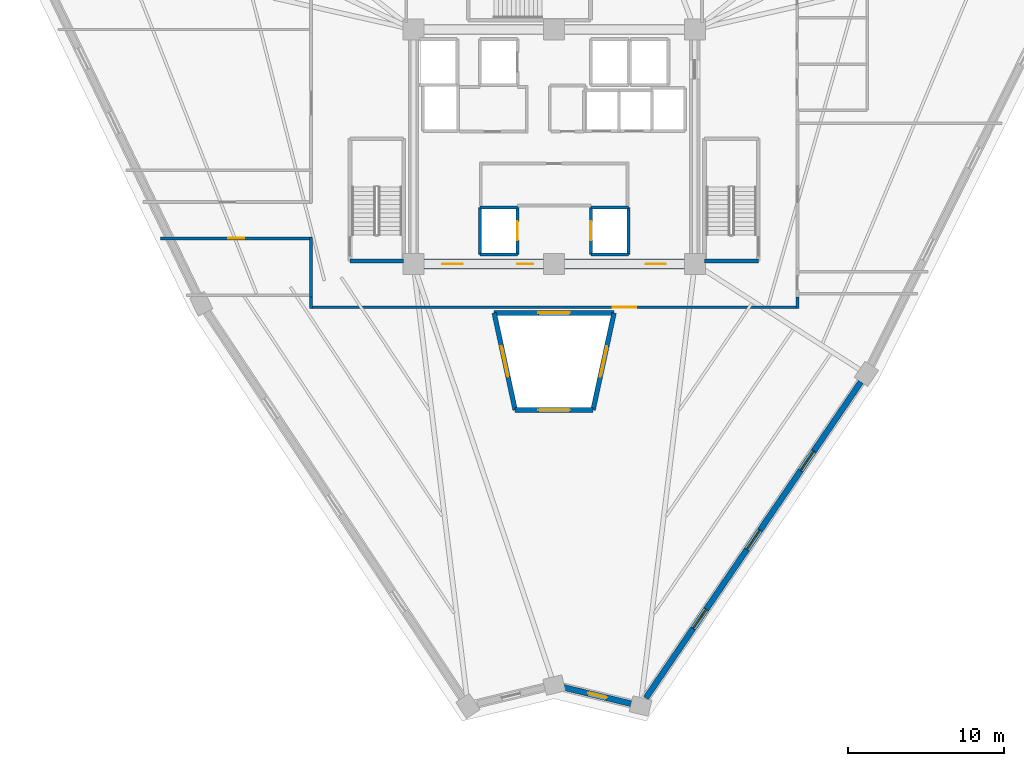
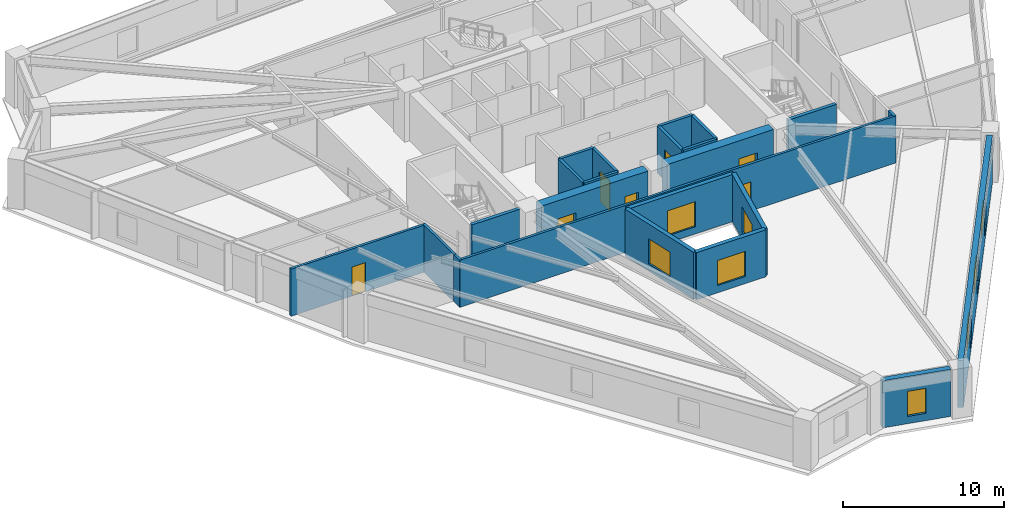
# One storey, part 3 of 8: 23 walls, 8 windows, 7 doors, 15 openings.
"""IFC4 building model written with IfcOpenShell, lengths in metres."""

import ifcopenshell
import ifcopenshell.guid

model = None  # the IFC model being written
_history = None  # IfcOwnerHistory: only IFC2X3 demands one
_inside = {}  # id of a spatial element -> (the spatial element, [elements in it])
_under = {}  # id of a project, library or spatial element -> (it, [spatial elements below it])
_declared = {}  # id of a project -> (the project, [libraries it declares])
_typed = {}  # id of a type object -> (the type object, [elements of that type])
_made_of = {}  # id of a material, layer set ... -> (it, [elements and type objects made of it])


def new_model(schema):
    """Start an empty IFC model of exactly this schema.

    Asked for "IFC4X3", IfcOpenShell would pick the latest addendum, in which some entities
    have other attributes; the version numbers below select the first issue.
    IFC2X3 requires an IfcOwnerHistory on every rooted entity: one is made here for all.
    """
    global model, _history
    if schema == "IFC4X3":
        model = ifcopenshell.file(schema_version=(4, 3, 0, 0))
    else:
        model = ifcopenshell.file(schema=schema)
    _inside.clear()
    _under.clear()
    _declared.clear()
    _typed.clear()
    _made_of.clear()
    _history = None
    if model.schema == "IFC2X3":
        org = make("IfcOrganization", Name="unknown")
        user = make(
            "IfcPersonAndOrganization",
            ThePerson=make("IfcPerson", FamilyName="unknown"),
            TheOrganization=org,
        )
        app = make(
            "IfcApplication",
            ApplicationDeveloper=org,
            Version="unknown",
            ApplicationFullName="unknown",
            ApplicationIdentifier="unknown",
        )
        _history = make(
            "IfcOwnerHistory",
            OwningUser=user,
            OwningApplication=app,
            ChangeAction="ADDED",
            CreationDate=0,
        )
    return model


def make(cls, **values):
    """One entity of the class cls with the attributes given. An attribute that is None is left unset."""
    return model.create_entity(
        cls, **{name: value for name, value in values.items() if value is not None}
    )


def rooted(cls, **values):
    """An entity with a GlobalId (a new one), such as an element, a storey or a relation."""
    return make(cls, GlobalId=ifcopenshell.guid.new(), OwnerHistory=_history, **values)


def si_unit(unit_type, name, prefix=None):
    """IfcSIUnit, for example si_unit("LENGTHUNIT", "METRE", prefix="MILLI")."""
    return make("IfcSIUnit", UnitType=unit_type, Prefix=prefix, Name=name)


def assignment(units):
    """IfcUnitAssignment: the units of a project."""
    return None if units is None else make("IfcUnitAssignment", Units=units)


def point(xyz):
    """IfcCartesianPoint."""
    return None if xyz is None else make("IfcCartesianPoint", Coordinates=xyz)


def direction(xyz):
    """IfcDirection."""
    return None if xyz is None else make("IfcDirection", DirectionRatios=xyz)


def frame(location, z_axis=None, x_axis=None):
    """IfcAxis2Placement3D, a coordinate frame: its origin and axes. An axis left out is left unset."""
    return make(
        "IfcAxis2Placement3D",
        Location=point(location),
        Axis=direction(z_axis),
        RefDirection=direction(x_axis),
    )


def frame_2d(location, x_axis=None):
    """IfcAxis2Placement2D, a coordinate frame in the plane: its origin and x axis."""
    return make(
        "IfcAxis2Placement2D", Location=point(location), RefDirection=direction(x_axis)
    )


def origin():
    """The frame at (0, 0, 0) with its axes left unset."""
    return frame((0.0, 0.0, 0.0))


def place(relative_to, where):
    """IfcLocalPlacement: puts the frame where relative to a parent placement (None: the world)."""
    return make(
        "IfcLocalPlacement", PlacementRelTo=relative_to, RelativePlacement=where
    )


def context(
    kind, dimensions, precision=None, world=None, true_north=None, identifier=None
):
    """IfcGeometricRepresentationContext, for example the 3D "Model" context."""
    return make(
        "IfcGeometricRepresentationContext",
        ContextIdentifier=identifier,
        ContextType=kind,
        CoordinateSpaceDimension=dimensions,
        Precision=precision,
        WorldCoordinateSystem=world,
        TrueNorth=true_north,
    )


def subcontext(parent, identifier, kind, view, scale=None):
    """IfcGeometricRepresentationSubContext, for example "Body" below "Model"."""
    return make(
        "IfcGeometricRepresentationSubContext",
        ContextIdentifier=identifier,
        ContextType=kind,
        ParentContext=parent,
        TargetScale=scale,
        TargetView=view,
    )


def project(units=None, contexts=None):
    """IfcProject with its units and contexts."""
    return rooted(
        "IfcProject",
        Name="project",
        RepresentationContexts=contexts,
        UnitsInContext=assignment(units),
    )


def spatial(cls, under=None, at=None, **own):
    """A site, building, storey or space (cls), placed at a placement, below another one or the project."""
    s = rooted(cls, ObjectPlacement=at, **own)
    if under is not None:
        _under.setdefault(under.id(), (under, []))[1].append(s)
    return s


def profile(cls, at=None, kind="AREA", **sizes):
    """A parametric profile (cls). Its sizes go by their IFC names, for example OverallWidth=200.0."""
    return make(cls, ProfileType=kind, Position=at, **sizes)


def rectangle(**sizes):
    """IfcRectangleProfileDef."""
    return profile("IfcRectangleProfileDef", **sizes)


def extrude(swept, where, along, depth):
    """IfcExtrudedAreaSolid: the profile swept, set in the frame where, extruded along a direction by depth."""
    return make(
        "IfcExtrudedAreaSolid",
        SweptArea=swept,
        Position=where,
        ExtrudedDirection=direction(along),
        Depth=depth,
    )


def shape(context_of_items, identifier, shape_type, items):
    """IfcShapeRepresentation: the items that make up one representation, for example the "Body"."""
    return make(
        "IfcShapeRepresentation",
        ContextOfItems=context_of_items,
        RepresentationIdentifier=identifier,
        RepresentationType=shape_type,
        Items=items,
    )


def source(mapping_origin, context_of_items, identifier, shape_type, items):
    """IfcRepresentationMap: a shape defined once, which mapped items show again and again."""
    return make(
        "IfcRepresentationMap",
        MappingOrigin=mapping_origin,
        MappedRepresentation=shape(context_of_items, identifier, shape_type, items),
    )


def transform(
    local_origin,
    x_axis=None,
    y_axis=None,
    z_axis=None,
    scale=None,
    scale2=None,
    scale3=None,
    uniform=True,
):
    """IfcCartesianTransformationOperator3D, or its non-uniform kind. x_axis, y_axis, z_axis: its Axis1, 2, 3."""
    if uniform:
        return make(
            "IfcCartesianTransformationOperator3D",
            Axis1=direction(x_axis),
            Axis2=direction(y_axis),
            LocalOrigin=point(local_origin),
            Scale=scale,
            Axis3=direction(z_axis),
        )
    return make(
        "IfcCartesianTransformationOperator3DnonUniform",
        Axis1=direction(x_axis),
        Axis2=direction(y_axis),
        LocalOrigin=point(local_origin),
        Scale=scale,
        Axis3=direction(z_axis),
        Scale2=scale2,
        Scale3=scale3,
    )


def mapped(mapping_source, mapping_target):
    """IfcMappedItem: shows the shape of a source again, moved by a transform."""
    return make(
        "IfcMappedItem", MappingSource=mapping_source, MappingTarget=mapping_target
    )


def material(Name=None, Category=None):
    """IfcMaterial."""
    return make("IfcMaterial", Name=Name, Category=Category)


def layer(
    of_material, thickness, ventilated=None, Name=None, Category=None, Priority=None
):
    """IfcMaterialLayer: one layer of a wall or slab, of a material (None: an air gap)."""
    return make(
        "IfcMaterialLayer",
        Material=of_material,
        LayerThickness=thickness,
        IsVentilated=ventilated,
        Name=Name,
        Category=Category,
        Priority=Priority,
    )


def layer_set(layers, Name=None):
    """IfcMaterialLayerSet."""
    return make("IfcMaterialLayerSet", MaterialLayers=layers, LayerSetName=Name)


def made_of(thing, what):
    """Note that an element or type object is made of a material, layer set ...; save() writes the relation."""
    if what is not None:
        _made_of.setdefault(what.id(), (what, []))[1].append(thing)
    return thing


def type_object(cls, material=None, **own):
    """A type object (cls), such as IfcWallType, which elements share."""
    return made_of(rooted(cls, **own), material)


def element(
    cls,
    number,
    at=None,
    inside=None,
    cuts=None,
    type_object=None,
    material=None,
    context=None,
    identifier="Body",
    shape_type=None,
    held_by="IfcProductDefinitionShape",
    body=None,
    shapes=None,
    **own,
):
    """One element of the class cls, such as IfcWall. Its Tag is "e" and its number.

    at: its placement. inside: the storey or other place that contains it. cuts: it is an
    opening in that element (IfcRelVoidsElement). A single representation is given by context,
    identifier, shape_type and body (its items); several are given by shapes. held_by: the class
    of the entity that holds the representations. save() writes the other relations.
    """
    e = rooted(cls, Tag="e%d" % number, ObjectPlacement=at, **own)
    if body is not None:
        shapes = [shape(context, identifier, shape_type, body)]
    if shapes is not None:
        e.Representation = make(held_by, Representations=shapes)
    if inside is not None:
        _inside.setdefault(inside.id(), (inside, []))[1].append(e)
    if cuts is not None:
        rooted(
            "IfcRelVoidsElement", RelatingBuildingElement=cuts, RelatedOpeningElement=e
        )
    if type_object is not None:
        _typed.setdefault(type_object.id(), (type_object, []))[1].append(e)
    return made_of(e, material)


def fill(opening, filler):
    """IfcRelFillsElement: the door or window that sits in an opening."""
    return rooted(
        "IfcRelFillsElement",
        RelatingOpeningElement=opening,
        RelatedBuildingElement=filler,
    )


def aggregate(whole, parts):
    """IfcRelAggregates: a whole, such as a stair, and the parts it consists of."""
    return rooted("IfcRelAggregates", RelatingObject=whole, RelatedObjects=parts)


def save(model, path):
    """Write the relations noted so far, then the file.

    IfcRelAggregates (storeys below a building ...), IfcRelContainedInSpatialStructure (elements
    in a storey), IfcRelDefinesByType, IfcRelAssociatesMaterial and IfcRelDeclares: one each for
    every whole, place, type object, material and project.
    """
    for whole, parts in _under.values():
        aggregate(whole, parts)
    for where, things in _inside.values():
        rooted(
            "IfcRelContainedInSpatialStructure",
            RelatedElements=things,
            RelatingStructure=where,
        )
    for kind, things in _typed.values():
        rooted("IfcRelDefinesByType", RelatedObjects=things, RelatingType=kind)
    for what, things in _made_of.values():
        rooted("IfcRelAssociatesMaterial", RelatedObjects=things, RelatingMaterial=what)
    for by, libraries in _declared.values():
        rooted("IfcRelDeclares", RelatingContext=by, RelatedDefinitions=libraries)
    model.write(path)


model = new_model("IFC4")

# Units and contexts
model_context = context("Model", 3, precision=1e-05, world=origin(), true_north=direction((0.0, 1.0)))
body_context = subcontext(model_context, "Body", "Model", "MODEL_VIEW")
ifc_project = project(units=[si_unit("LENGTHUNIT", "METRE"), si_unit("AREAUNIT", "SQUARE_METRE"), si_unit("VOLUMEUNIT", "CUBIC_METRE"), si_unit("PLANEANGLEUNIT", "RADIAN"), si_unit("MASSUNIT", "GRAM", prefix="KILO")], contexts=[model_context])

# Site, building, storey
site_placement = place(None, origin())
site = spatial("IfcSite", under=ifc_project, at=site_placement, CompositionType="ELEMENT")
building_placement = place(site_placement, origin())
building = spatial("IfcBuilding", under=site, at=building_placement, Name="Liaohun Quay Tower", CompositionType="ELEMENT")
storey_placement = place(building_placement, frame((0.0, 0.0, 201.75)))
storey = spatial("IfcBuildingStorey", under=building, at=storey_placement, Name="L52", CompositionType="ELEMENT", Elevation=201.75)

# Wall, opening, window
ifc_material_1 = material(Name="Concrete C50", Category="concrete")
ifc_layer_1 = layer(ifc_material_1, 0.300048828125, Name="Concrete C50", Category="concrete")
ifc_layer_set_1 = layer_set([ifc_layer_1], Name="Concrete C50")
wall_type_1 = type_object("IfcWallType", Name="WAL-ATR-300", PredefinedType="SOLIDWALL", material=ifc_layer_set_1)
wall_1_placement = place(storey_placement, frame((57.507080078125, 37.162109375, 0.0), z_axis=(0.0, 0.0, 1.0), x_axis=(-0.211444938644, 0.977389910896, 0.0)))
wall_1 = element("IfcWall", 1, at=wall_1_placement, inside=storey, type_object=wall_type_1, Name="L52 Atrium Fire Compartment Wall 1", PredefinedType="SOLIDWALL", context=body_context, shape_type="SweptSolid", body=[
    extrude(rectangle(XDim=6.3515625, YDim=0.300048828125, at=frame_2d((3.17578125, 0.0))), origin(), (0.0, 0.0, 1.0), 3.570068359375),
])
shared_shape_1 = source(origin(), body_context, "Body", "SweptSolid", [
    extrude(rectangle(XDim=2.0, YDim=1.89990234375, at=frame_2d((1.0, 0.949951171875))), frame((0.0, 0.159912109375, 0.0), z_axis=(0.0, -1.0, 0.0), x_axis=(1.0, 0.0, 0.0)), (0.0, 0.0, 1.0), 0.320068359375),
])
opening_1_placement = place(wall_1_placement, frame((2.176025390625, 0.0, 0.550048828125)))
opening_1 = element("IfcOpeningElement", 2, at=opening_1_placement, cuts=wall_1, Name="Opening W07", PredefinedType="OPENING", context=body_context, shape_type="MappedRepresentation", body=[
    mapped(shared_shape_1, transform((0.0, 0.0, 0.0), x_axis=(1.0, 0.0, 0.0), y_axis=(0.0, 1.0, 0.0), z_axis=(0.0, 0.0, 1.0), scale=1.0)),
])
ifc_material_2 = material(Name="Class A 180-min fire-resistant insulated glazing", Category="glass")
window_type_1 = type_object("IfcWindowType", Name="WIN-ATR-FIR", PartitioningType="DOUBLE_PANEL_VERTICAL", PredefinedType="WINDOW", material=ifc_material_2)
shared_shape_2 = source(origin(), body_context, "Body", "SweptSolid", [
    extrude(rectangle(XDim=2.0, YDim=1.89990234375, at=frame_2d((1.0, 0.949951171875))), frame((0.0, 0.030029296875, 0.0), z_axis=(0.0, -1.0, 0.0), x_axis=(1.0, 0.0, 0.0)), (0.0, 0.0, 1.0), 0.06005859375),
])
window_1_placement = place(opening_1_placement, origin())
window_1 = element("IfcWindow", 3, at=window_1_placement, inside=storey, type_object=window_type_1, Name="L52 Atrium Fire-Resistant Glazing W07-1", OverallHeight=1.89990234375, OverallWidth=2.0, PartitioningType="DOUBLE_PANEL_VERTICAL", PredefinedType="WINDOW", context=body_context, shape_type="MappedRepresentation", body=[
    mapped(shared_shape_2, transform((0.0, 0.0, 0.0), x_axis=(1.0, 0.0, 0.0), y_axis=(0.0, 1.0, 0.0), z_axis=(0.0, 0.0, 1.0), scale=1.0)),
])
fill(opening_1, window_1)

wall_2_placement = place(storey_placement, frame((56.1640625, 43.3701171875, 0.0), z_axis=(0.0, 0.0, 1.0), x_axis=(1.0, 0.0, 0.0)))
wall_2 = element("IfcWall", 4, at=wall_2_placement, inside=storey, type_object=wall_type_1, Name="L52 Atrium Fire Compartment Wall 2", PredefinedType="SOLIDWALL", context=body_context, shape_type="SweptSolid", body=[
    extrude(rectangle(XDim=7.671875, YDim=0.300048828125, at=frame_2d((3.8359375, 0.0))), origin(), (0.0, 0.0, 1.0), 3.570068359375),
])
opening_2_placement = place(wall_2_placement, frame((2.8359375, 0.0, 0.550048828125)))
opening_2 = element("IfcOpeningElement", 5, at=opening_2_placement, cuts=wall_2, Name="Opening W07", PredefinedType="OPENING", context=body_context, shape_type="MappedRepresentation", body=[
    mapped(shared_shape_1, transform((0.0, 0.0, 0.0), x_axis=(1.0, 0.0, 0.0), y_axis=(0.0, 1.0, 0.0), z_axis=(0.0, 0.0, 1.0), scale=1.0)),
])
window_2_placement = place(opening_2_placement, origin())
window_2 = element("IfcWindow", 6, at=window_2_placement, inside=storey, type_object=window_type_1, Name="L52 Atrium Fire-Resistant Glazing W07-2", OverallHeight=1.89990234375, OverallWidth=2.0, PartitioningType="DOUBLE_PANEL_VERTICAL", PredefinedType="WINDOW", context=body_context, shape_type="MappedRepresentation", body=[
    mapped(shared_shape_2, transform((0.0, 0.0, 0.0), x_axis=(1.0, 0.0, 0.0), y_axis=(0.0, 1.0, 0.0), z_axis=(0.0, 0.0, 1.0), scale=1.0)),
])
fill(opening_2, window_2)

wall_3_placement = place(storey_placement, frame((63.8359375, 43.3701171875, 0.0), z_axis=(0.0, 0.0, 1.0), x_axis=(-0.211444938644, -0.977389910896, 0.0)))
wall_3 = element("IfcWall", 7, at=wall_3_placement, inside=storey, type_object=wall_type_1, Name="L52 Atrium Fire Compartment Wall 3", PredefinedType="SOLIDWALL", context=body_context, shape_type="SweptSolid", body=[
    extrude(rectangle(XDim=6.3515625, YDim=0.300048828125, at=frame_2d((3.17578125, 0.0))), origin(), (0.0, 0.0, 1.0), 3.570068359375),
])
opening_3_placement = place(wall_3_placement, frame((2.176025390625, 0.0, 0.550048828125)))
opening_3 = element("IfcOpeningElement", 8, at=opening_3_placement, cuts=wall_3, Name="Opening W07", PredefinedType="OPENING", context=body_context, shape_type="MappedRepresentation", body=[
    mapped(shared_shape_1, transform((0.0, 0.0, 0.0), x_axis=(1.0, 0.0, 0.0), y_axis=(0.0, 1.0, 0.0), z_axis=(0.0, 0.0, 1.0), scale=1.0)),
])
window_3_placement = place(opening_3_placement, origin())
window_3 = element("IfcWindow", 9, at=window_3_placement, inside=storey, type_object=window_type_1, Name="L52 Atrium Fire-Resistant Glazing W07-3", OverallHeight=1.89990234375, OverallWidth=2.0, PartitioningType="DOUBLE_PANEL_VERTICAL", PredefinedType="WINDOW", context=body_context, shape_type="MappedRepresentation", body=[
    mapped(shared_shape_2, transform((0.0, 0.0, 0.0), x_axis=(1.0, 0.0, 0.0), y_axis=(0.0, 1.0, 0.0), z_axis=(0.0, 0.0, 1.0), scale=1.0)),
])
fill(opening_3, window_3)

wall_4_placement = place(storey_placement, frame((62.492919921875, 37.162109375, 0.0), z_axis=(0.0, 0.0, 1.0), x_axis=(-1.0, 0.0, 0.0)))
wall_4 = element("IfcWall", 10, at=wall_4_placement, inside=storey, type_object=wall_type_1, Name="L52 Atrium Fire Compartment Wall 4", PredefinedType="SOLIDWALL", context=body_context, shape_type="SweptSolid", body=[
    extrude(rectangle(XDim=4.98583984375, YDim=0.300048828125, at=frame_2d((2.492919921875, 0.0))), origin(), (0.0, 0.0, 1.0), 3.570068359375),
])
opening_4_placement = place(wall_4_placement, frame((1.492919921875, 0.0, 0.550048828125)))
opening_4 = element("IfcOpeningElement", 11, at=opening_4_placement, cuts=wall_4, Name="Opening W07", PredefinedType="OPENING", context=body_context, shape_type="MappedRepresentation", body=[
    mapped(shared_shape_1, transform((0.0, 0.0, 0.0), x_axis=(1.0, 0.0, 0.0), y_axis=(0.0, 1.0, 0.0), z_axis=(0.0, 0.0, 1.0), scale=1.0)),
])
window_4_placement = place(opening_4_placement, origin())
window_4 = element("IfcWindow", 12, at=window_4_placement, inside=storey, type_object=window_type_1, Name="L52 Atrium Fire-Resistant Glazing W07-4", OverallHeight=1.89990234375, OverallWidth=2.0, PartitioningType="DOUBLE_PANEL_VERTICAL", PredefinedType="WINDOW", context=body_context, shape_type="MappedRepresentation", body=[
    mapped(shared_shape_2, transform((0.0, 0.0, 0.0), x_axis=(1.0, 0.0, 0.0), y_axis=(0.0, 1.0, 0.0), z_axis=(0.0, 0.0, 1.0), scale=1.0)),
])
fill(opening_4, window_4)

# Wall, opening, door
ifc_material_3 = material(Name="Concrete C55", Category="concrete")
ifc_layer_2 = layer(ifc_material_3, 0.64990234375, Name="Concrete C55", Category="concrete")
ifc_layer_set_2 = layer_set([ifc_layer_2], Name="Concrete C55")
wall_type_2 = type_object("IfcWallType", Name="WAL-COR-Z3", PredefinedType="SHEAR", material=ifc_layer_set_2)
wall_5_placement = place(storey_placement, frame((68.324951171875, 46.5, 0.0), z_axis=(0.0, 0.0, 1.0), x_axis=(-1.0, 0.0, 0.0)))
wall_5 = element("IfcWall", 13, at=wall_5_placement, inside=storey, type_object=wall_type_2, Name="L52 Central Core Shear Wall S-E", PredefinedType="SHEAR", context=body_context, shape_type="SweptSolid", body=[
    extrude(rectangle(XDim=7.64990234375, YDim=0.64990234375, at=frame_2d((3.824951171875, 0.0))), origin(), (0.0, 0.0, 1.0), 3.570068359375),
])
shared_shape_3 = source(origin(), body_context, "Body", "SweptSolid", [
    extrude(rectangle(XDim=1.300048828125, YDim=2.199951171875, at=frame_2d((0.64990234375, 1.10009765625))), frame((0.0, 0.3349609375, 0.0), z_axis=(0.0, -1.0, 0.0), x_axis=(1.0, 0.0, 0.0)), (0.0, 0.0, 1.0), 0.669921875),
])
opening_5_placement = place(wall_5_placement, frame((1.175048828125, 0.0, 0.0)))
opening_5 = element("IfcOpeningElement", 14, at=opening_5_placement, cuts=wall_5, Name="Opening FD1", PredefinedType="OPENING", context=body_context, shape_type="MappedRepresentation", body=[
    mapped(shared_shape_3, transform((0.0, 0.0, 0.0), x_axis=(1.0, 0.0, 0.0), y_axis=(0.0, 1.0, 0.0), z_axis=(0.0, 0.0, 1.0), scale=1.0)),
])
ifc_material_4 = material(Name="Galvanised steel smokeproof fire door", Category="steel")
door_type_1 = type_object("IfcDoorType", Name="DOR-FFL-1300", OperationType="NOTDEFINED", PredefinedType="DOOR", material=ifc_material_4)
shared_shape_4 = source(origin(), body_context, "Body", "SweptSolid", [
    extrude(rectangle(XDim=1.300048828125, YDim=2.199951171875, at=frame_2d((0.64990234375, 1.10009765625))), frame((0.0, 0.02490234375, 0.0), z_axis=(0.0, -1.0, 0.0), x_axis=(1.0, 0.0, 0.0)), (0.0, 0.0, 1.0), 0.050048828125),
])
door_1_placement = place(opening_5_placement, origin())
door_1 = element("IfcDoor", 15, at=door_1_placement, inside=storey, type_object=door_type_1, Name="L52 East Core Lift Lobby Smokeproof Door", OperationType="SINGLE_SWING_LEFT", OverallHeight=2.199951171875, OverallWidth=1.300048828125, PredefinedType="DOOR", context=body_context, shape_type="MappedRepresentation", body=[
    mapped(shared_shape_4, transform((0.0, 0.0, 0.0), x_axis=(1.0, 0.0, 0.0), y_axis=(0.0, 1.0, 0.0), z_axis=(0.0, 0.0, 1.0), scale=1.0)),
])
fill(opening_5, door_1)

# Wall, openings, doors
wall_6_placement = place(storey_placement, frame((59.324951171875, 46.5, 0.0), z_axis=(0.0, 0.0, 1.0), x_axis=(-1.0, 0.0, 0.0)))
wall_6 = element("IfcWall", 16, at=wall_6_placement, inside=storey, type_object=wall_type_2, Name="L52 Central Core Shear Wall S-W", PredefinedType="SHEAR", context=body_context, shape_type="SweptSolid", body=[
    extrude(rectangle(XDim=7.64990234375, YDim=0.64990234375, at=frame_2d((3.824951171875, 0.0))), origin(), (0.0, 0.0, 1.0), 3.570068359375),
])
opening_6_placement = place(wall_6_placement, frame((5.175048828125, 0.0, 0.0)))
opening_6 = element("IfcOpeningElement", 17, at=opening_6_placement, cuts=wall_6, Name="Opening FD1", PredefinedType="OPENING", context=body_context, shape_type="MappedRepresentation", body=[
    mapped(shared_shape_3, transform((0.0, 0.0, 0.0), x_axis=(1.0, 0.0, 0.0), y_axis=(0.0, 1.0, 0.0), z_axis=(0.0, 0.0, 1.0), scale=1.0)),
])
shared_shape_5 = source(origin(), body_context, "Body", "SweptSolid", [
    extrude(rectangle(XDim=1.0, YDim=2.199951171875, at=frame_2d((0.5, 1.10009765625))), frame((0.0, 0.3349609375, 0.0), z_axis=(0.0, -1.0, 0.0), x_axis=(1.0, 0.0, 0.0)), (0.0, 0.0, 1.0), 0.669921875),
])
opening_7_placement = place(wall_6_placement, frame((0.675048828125, 0.0, 0.0)))
opening_7 = element("IfcOpeningElement", 18, at=opening_7_placement, cuts=wall_6, Name="Opening FD2", PredefinedType="OPENING", context=body_context, shape_type="MappedRepresentation", body=[
    mapped(shared_shape_5, transform((0.0, 0.0, 0.0), x_axis=(1.0, 0.0, 0.0), y_axis=(0.0, 1.0, 0.0), z_axis=(0.0, 0.0, 1.0), scale=1.0)),
])
door_2_placement = place(opening_6_placement, origin())
door_2 = element("IfcDoor", 19, at=door_2_placement, inside=storey, type_object=door_type_1, Name="L52 West Core Lift Lobby Smokeproof Door", OperationType="SINGLE_SWING_RIGHT", OverallHeight=2.199951171875, OverallWidth=1.300048828125, PredefinedType="DOOR", context=body_context, shape_type="MappedRepresentation", body=[
    mapped(shared_shape_4, transform((0.0, 0.0, 0.0), x_axis=(1.0, 0.0, 0.0), y_axis=(0.0, 1.0, 0.0), z_axis=(0.0, 0.0, 1.0), scale=1.0)),
])
fill(opening_6, door_2)
ifc_material_5 = material(Name="Galvanised steel smokeproof lobby fire door", Category="steel")
door_type_2 = type_object("IfcDoorType", Name="DOR-FFL-1000", OperationType="NOTDEFINED", PredefinedType="DOOR", material=ifc_material_5)
shared_shape_6 = source(origin(), body_context, "Body", "SweptSolid", [
    extrude(rectangle(XDim=1.0, YDim=2.199951171875, at=frame_2d((0.5, 1.10009765625))), frame((0.0, 0.02490234375, 0.0), z_axis=(0.0, -1.0, 0.0), x_axis=(1.0, 0.0, 0.0)), (0.0, 0.0, 1.0), 0.050048828125),
])
door_3_placement = place(opening_7_placement, origin())
door_3 = element("IfcDoor", 20, at=door_3_placement, inside=storey, type_object=door_type_2, Name="L52 South Firefighting Lobby Smokeproof Door", OperationType="SINGLE_SWING_LEFT", OverallHeight=2.199951171875, OverallWidth=1.0, PredefinedType="DOOR", context=body_context, shape_type="MappedRepresentation", body=[
    mapped(shared_shape_6, transform((0.0, 0.0, 0.0), x_axis=(1.0, 0.0, 0.0), y_axis=(0.0, 1.0, 0.0), z_axis=(0.0, 0.0, 1.0), scale=1.0)),
])
fill(opening_7, door_3)

# Wall, opening, window
ifc_material_6 = material(Name="Precast concrete C50 insulated sandwich", Category="concrete")
ifc_layer_3 = layer(ifc_material_6, 0.3798828125, Name="Precast concrete C50 insulated sandwich", Category="concrete")
ifc_layer_set_3 = layer_set([ifc_layer_3], Name="Precast concrete C50 insulated sandwich")
wall_type_3 = type_object("IfcWallType", Name="WAL-EXT-Z34", PredefinedType="SOLIDWALL", material=ifc_layer_set_3)
wall_7_placement = place(storey_placement, frame((60.597900390625, 19.41796875, 0.0), z_axis=(0.0, 0.0, 1.0), x_axis=(0.97200969757, -0.234940732588, 0.0)))
wall_7 = element("IfcWall", 21, at=wall_7_placement, inside=storey, type_object=wall_type_3, Name="L52 Brutalist Precast Pier Wall 01", PredefinedType="SOLIDWALL", context=body_context, shape_type="SweptSolid", body=[
    extrude(rectangle(XDim=4.45166015625, YDim=0.3798828125, at=frame_2d((2.225830078125, 0.0))), origin(), (0.0, 0.0, 1.0), 3.570068359375),
])
shared_shape_7 = source(origin(), body_context, "Body", "SweptSolid", [
    extrude(rectangle(XDim=1.199951171875, YDim=1.89990234375, at=frame_2d((0.60009765625, 0.949951171875))), frame((0.0, 0.199951171875, 0.0), z_axis=(0.0, -1.0, 0.0), x_axis=(1.0, 0.0, 0.0)), (0.0, 0.0, 1.0), 0.39990234375),
])
opening_8_placement = place(wall_7_placement, frame((1.6259765625, 0.0, 0.550048828125)))
opening_8 = element("IfcOpeningElement", 22, at=opening_8_placement, cuts=wall_7, Name="Opening W05", PredefinedType="OPENING", context=body_context, shape_type="MappedRepresentation", body=[
    mapped(shared_shape_7, transform((0.0, 0.0, 0.0), x_axis=(1.0, 0.0, 0.0), y_axis=(0.0, 1.0, 0.0), z_axis=(0.0, 0.0, 1.0), scale=1.0)),
])
ifc_material_7 = material(Name="Triple Low-E corner notch glazing", Category="glass")
window_type_2 = type_object("IfcWindowType", Name="WIN-NOTCH", PartitioningType="SINGLE_PANEL", PredefinedType="WINDOW", material=ifc_material_7)
shared_shape_8 = source(origin(), body_context, "Body", "SweptSolid", [
    extrude(rectangle(XDim=1.199951171875, YDim=1.89990234375, at=frame_2d((0.60009765625, 0.949951171875))), frame((0.0, 0.030029296875, 0.0), z_axis=(0.0, -1.0, 0.0), x_axis=(1.0, 0.0, 0.0)), (0.0, 0.0, 1.0), 0.06005859375),
])
window_5_placement = place(opening_8_placement, origin())
window_5 = element("IfcWindow", 23, at=window_5_placement, inside=storey, type_object=window_type_2, Name="L52 Corner Notch Window W05-01", OverallHeight=1.89990234375, OverallWidth=1.199951171875, PartitioningType="SINGLE_PANEL", PredefinedType="WINDOW", context=body_context, shape_type="MappedRepresentation", body=[
    mapped(shared_shape_8, transform((0.0, 0.0, 0.0), x_axis=(1.0, 0.0, 0.0), y_axis=(0.0, 1.0, 0.0), z_axis=(0.0, 0.0, 1.0), scale=1.0)),
])
fill(opening_8, window_5)

# Wall, openings, windows
wall_8_placement = place(storey_placement, frame((65.868896484375, 18.736083984375, 0.0), z_axis=(0.0, 0.0, 1.0), x_axis=(0.562429840658, 0.826845012283, 0.0)))
wall_8 = element("IfcWall", 24, at=wall_8_placement, inside=storey, type_object=wall_type_3, Name="L52 Brutalist Precast Pier Wall 02", PredefinedType="SOLIDWALL", context=body_context, shape_type="SweptSolid", body=[
    extrude(rectangle(XDim=24.46533203125, YDim=0.3798828125, at=frame_2d((12.232666015625, 0.0))), origin(), (0.0, 0.0, 1.0), 3.570068359375),
])
shared_shape_9 = source(origin(), body_context, "Body", "SweptSolid", [
    extrude(rectangle(XDim=1.5, YDim=1.89990234375, at=frame_2d((0.75, 0.949951171875))), frame((0.0, 0.199951171875, 0.0), z_axis=(0.0, -1.0, 0.0), x_axis=(1.0, 0.0, 0.0)), (0.0, 0.0, 1.0), 0.39990234375),
])
opening_9_placement = place(wall_8_placement, frame((5.365966796875, 0.0, 0.550048828125)))
opening_9 = element("IfcOpeningElement", 25, at=opening_9_placement, cuts=wall_8, Name="Opening W03", PredefinedType="OPENING", context=body_context, shape_type="MappedRepresentation", body=[
    mapped(shared_shape_9, transform((0.0, 0.0, 0.0), x_axis=(1.0, 0.0, 0.0), y_axis=(0.0, 1.0, 0.0), z_axis=(0.0, 0.0, 1.0), scale=1.0)),
])
opening_10_placement = place(wall_8_placement, frame((11.48291015625, 0.0, 0.550048828125)))
opening_10 = element("IfcOpeningElement", 26, at=opening_10_placement, cuts=wall_8, Name="Opening W03", PredefinedType="OPENING", context=body_context, shape_type="MappedRepresentation", body=[
    mapped(shared_shape_9, transform((0.0, 0.0, 0.0), x_axis=(1.0, 0.0, 0.0), y_axis=(0.0, 1.0, 0.0), z_axis=(0.0, 0.0, 1.0), scale=1.0)),
])
opening_11_placement = place(wall_8_placement, frame((17.59912109375, 0.0, 0.550048828125)))
opening_11 = element("IfcOpeningElement", 27, at=opening_11_placement, cuts=wall_8, Name="Opening W03", PredefinedType="OPENING", context=body_context, shape_type="MappedRepresentation", body=[
    mapped(shared_shape_9, transform((0.0, 0.0, 0.0), x_axis=(1.0, 0.0, 0.0), y_axis=(0.0, 1.0, 0.0), z_axis=(0.0, 0.0, 1.0), scale=1.0)),
])
ifc_material_8 = material(Name="Triple Low-E argon glazing in thermally broken aluminium", Category="aluminium")
window_type_3 = type_object("IfcWindowType", Name="WIN-PUN-Z3", PartitioningType="DOUBLE_PANEL_VERTICAL", PredefinedType="WINDOW", material=ifc_material_8)
shared_shape_10 = source(origin(), body_context, "Body", "SweptSolid", [
    extrude(rectangle(XDim=1.5, YDim=1.89990234375, at=frame_2d((0.75, 0.949951171875))), frame((0.0, 0.030029296875, 0.0), z_axis=(0.0, -1.0, 0.0), x_axis=(1.0, 0.0, 0.0)), (0.0, 0.0, 1.0), 0.06005859375),
])
window_6_placement = place(opening_9_placement, origin())
window_6 = element("IfcWindow", 28, at=window_6_placement, inside=storey, type_object=window_type_3, Name="L52 Recessed Cold-Climate Punched Window 02-1", OverallHeight=1.89990234375, OverallWidth=1.5, PartitioningType="DOUBLE_PANEL_VERTICAL", PredefinedType="WINDOW", context=body_context, shape_type="MappedRepresentation", body=[
    mapped(shared_shape_10, transform((0.0, 0.0, 0.0), x_axis=(1.0, 0.0, 0.0), y_axis=(0.0, 1.0, 0.0), z_axis=(0.0, 0.0, 1.0), scale=1.0)),
])
fill(opening_9, window_6)
window_7_placement = place(opening_10_placement, origin())
window_7 = element("IfcWindow", 29, at=window_7_placement, inside=storey, type_object=window_type_3, Name="L52 Recessed Cold-Climate Punched Window 02-2", OverallHeight=1.89990234375, OverallWidth=1.5, PartitioningType="DOUBLE_PANEL_VERTICAL", PredefinedType="WINDOW", context=body_context, shape_type="MappedRepresentation", body=[
    mapped(shared_shape_10, transform((0.0, 0.0, 0.0), x_axis=(1.0, 0.0, 0.0), y_axis=(0.0, 1.0, 0.0), z_axis=(0.0, 0.0, 1.0), scale=1.0)),
])
fill(opening_10, window_7)
window_8_placement = place(opening_11_placement, origin())
window_8 = element("IfcWindow", 30, at=window_8_placement, inside=storey, type_object=window_type_3, Name="L52 Recessed Cold-Climate Punched Window 02-3", OverallHeight=1.89990234375, OverallWidth=1.5, PartitioningType="DOUBLE_PANEL_VERTICAL", PredefinedType="WINDOW", context=body_context, shape_type="MappedRepresentation", body=[
    mapped(shared_shape_10, transform((0.0, 0.0, 0.0), x_axis=(1.0, 0.0, 0.0), y_axis=(0.0, 1.0, 0.0), z_axis=(0.0, 0.0, 1.0), scale=1.0)),
])
fill(opening_11, window_8)

# Wall, opening, door
ifc_material_9 = material(Name="Autoclaved aerated concrete blockwork", Category="masonry")
ifc_layer_4 = layer(ifc_material_9, 0.179931640625, Name="Autoclaved aerated concrete blockwork", Category="masonry")
ifc_layer_set_4 = layer_set([ifc_layer_4], Name="Autoclaved aerated concrete blockwork")
wall_type_4 = type_object("IfcWallType", Name="WAL-PRT-COR", PredefinedType="PARTITIONING", material=ifc_layer_set_4)
wall_9_placement = place(storey_placement, frame((44.510009765625, 48.139892578125, 0.0), z_axis=(0.0, 0.0, 1.0), x_axis=(-1.0, 0.0, 0.0)))
wall_9 = element("IfcWall", 31, at=wall_9_placement, inside=storey, type_object=wall_type_4, Name="L52 Interior Partition Wall 019", PredefinedType="PARTITIONING", context=body_context, shape_type="SweptSolid", body=[
    extrude(rectangle(XDim=9.68603515625, YDim=0.179931640625, at=frame_2d((4.843017578125, 0.0))), origin(), (0.0, 0.0, 1.0), 3.570068359375),
])
shared_shape_11 = source(origin(), body_context, "Body", "SweptSolid", [
    extrude(rectangle(XDim=1.0, YDim=2.199951171875, at=frame_2d((0.5, 1.10009765625))), frame((0.0, 0.099853515625, 0.0), z_axis=(0.0, -1.0, 0.0), x_axis=(1.0, 0.0, 0.0)), (0.0, 0.0, 1.0), 0.199951171875),
])
opening_12_placement = place(wall_9_placement, frame((4.343017578125, 0.0, 0.0)))
opening_12 = element("IfcOpeningElement", 32, at=opening_12_placement, cuts=wall_9, Name="Opening OD1", PredefinedType="OPENING", context=body_context, shape_type="MappedRepresentation", body=[
    mapped(shared_shape_11, transform((0.0, 0.0, 0.0), x_axis=(1.0, 0.0, 0.0), y_axis=(0.0, 1.0, 0.0), z_axis=(0.0, 0.0, 1.0), scale=1.0)),
])
ifc_material_10 = material(Name="Solid-core oak veneer timber leaf in steel frame", Category="steel")
door_type_3 = type_object("IfcDoorType", Name="DOR-OFF-1000", OperationType="NOTDEFINED", PredefinedType="DOOR", material=ifc_material_10)
door_4_placement = place(opening_12_placement, origin())
door_4 = element("IfcDoor", 33, at=door_4_placement, inside=storey, type_object=door_type_3, Name="L52 Records Archive Store 09 Door", OperationType="SINGLE_SWING_RIGHT", OverallHeight=2.199951171875, OverallWidth=1.0, PredefinedType="DOOR", context=body_context, shape_type="MappedRepresentation", body=[
    mapped(shared_shape_6, transform((0.0, 0.0, 0.0), x_axis=(1.0, 0.0, 0.0), y_axis=(0.0, 1.0, 0.0), z_axis=(0.0, 0.0, 1.0), scale=1.0)),
])
fill(opening_12, door_4)

wall_10_placement = place(storey_placement, frame((75.6298828125, 43.739990234375, 0.0), z_axis=(0.0, 0.0, 1.0), x_axis=(-1.0, 0.0, 0.0)))
wall_10 = element("IfcWall", 34, at=wall_10_placement, inside=storey, type_object=wall_type_4, Name="L52 Interior Partition Wall 020", PredefinedType="PARTITIONING", context=body_context, shape_type="SweptSolid", body=[
    extrude(rectangle(XDim=31.259765625, YDim=0.179931640625, at=frame_2d((15.6298828125, 0.0))), origin(), (0.0, 0.0, 1.0), 3.570068359375),
])
shared_shape_12 = source(origin(), body_context, "Body", "SweptSolid", [
    extrude(rectangle(XDim=1.5, YDim=2.199951171875, at=frame_2d((0.75, 1.10009765625))), frame((0.0, 0.099853515625, 0.0), z_axis=(0.0, -1.0, 0.0), x_axis=(1.0, 0.0, 0.0)), (0.0, 0.0, 1.0), 0.199951171875),
])
opening_13_placement = place(wall_10_placement, frame((10.3798828125, 0.0, 0.0)))
opening_13 = element("IfcOpeningElement", 35, at=opening_13_placement, cuts=wall_10, Name="Opening OD2", PredefinedType="OPENING", context=body_context, shape_type="MappedRepresentation", body=[
    mapped(shared_shape_12, transform((0.0, 0.0, 0.0), x_axis=(1.0, 0.0, 0.0), y_axis=(0.0, 1.0, 0.0), z_axis=(0.0, 0.0, 1.0), scale=1.0)),
])
ifc_material_11 = material(Name="Acoustic oak veneer double door")
door_type_4 = type_object("IfcDoorType", Name="DOR-OFF-1500", OperationType="DOUBLE_DOOR_SINGLE_SWING", PredefinedType="DOOR", material=ifc_material_11)
shared_shape_13 = source(origin(), body_context, "Body", "SweptSolid", [
    extrude(rectangle(XDim=1.5, YDim=2.199951171875, at=frame_2d((0.75, 1.10009765625))), frame((0.0, 0.02490234375, 0.0), z_axis=(0.0, -1.0, 0.0), x_axis=(1.0, 0.0, 0.0)), (0.0, 0.0, 1.0), 0.050048828125),
])
door_5_placement = place(opening_13_placement, origin())
door_5 = element("IfcDoor", 36, at=door_5_placement, inside=storey, type_object=door_type_4, Name="L52 Open-Plan Office Workplace 10 Door", OperationType="DOUBLE_DOOR_SINGLE_SWING", OverallHeight=2.199951171875, OverallWidth=1.5, PredefinedType="DOOR", context=body_context, shape_type="MappedRepresentation", body=[
    mapped(shared_shape_13, transform((0.0, 0.0, 0.0), x_axis=(1.0, 0.0, 0.0), y_axis=(0.0, 1.0, 0.0), z_axis=(0.0, 0.0, 1.0), scale=1.0)),
])
fill(opening_13, door_5)

# Walls
wall_11_placement = place(storey_placement, frame((44.43994140625, 44.385009765625, 0.0), z_axis=(0.0, 0.0, 1.0), x_axis=(0.0, 1.0, 0.0)))
element("IfcWall", 37, at=wall_11_placement, inside=storey, type_object=wall_type_4, Name="L52 Interior Partition Wall 039", PredefinedType="PARTITIONING", context=body_context, shape_type="SweptSolid", body=[
    extrude(rectangle(XDim=3.824951171875, YDim=0.179931640625, at=frame_2d((1.91259765625, 0.0))), origin(), (0.0, 0.0, 1.0), 3.570068359375),
])
for number, where, z_axis, x_axis, name in (
    (38, (75.56005859375, 44.385009765625, 0.0), (0.0, 0.0, 1.0), (0.0, -1.0, 0.0), "L52 Interior Partition Wall 040"),
    (39, (44.43994140625, 43.669921875, 0.0), (0.0, 0.0, 1.0), (0.0, 1.0, 0.0), "L52 Interior Partition Wall 041"),
):
    element("IfcWall", number, at=place(storey_placement, frame(where, z_axis=z_axis, x_axis=x_axis)), inside=storey, type_object=wall_type_4, Name=name, PredefinedType="PARTITIONING", context=body_context, shape_type="SweptSolid", body=[
        extrude(rectangle(XDim=0.715087890625, YDim=0.179931640625, at=frame_2d((0.357421875, 0.0))), origin(), (0.0, 0.0, 1.0), 3.570068359375),
    ])
ifc_layer_5 = layer(ifc_material_1, 0.239990234375, Name="Concrete C50", Category="concrete")
ifc_layer_set_5 = layer_set([ifc_layer_5], Name="Concrete C50")
wall_type_5 = type_object("IfcWallType", Name="WAL-SHF-200", PredefinedType="SOLIDWALL", material=ifc_layer_set_5)
for number, where, z_axis, x_axis, name in (
    (40, (46.93994140625, 46.699951171875, 0.0), (0.0, 0.0, 1.0), (1.0, 0.0, 0.0), "L52 Stairwell ST-1 Structural Core Wall S"),
    (41, (69.6201171875, 46.699951171875, 0.0), (0.0, 0.0, 1.0), (1.0, 0.0, 0.0), "L52 Stairwell ST-2 Structural Core Wall S"),
):
    element("IfcWall", number, at=place(storey_placement, frame(where, z_axis=z_axis, x_axis=x_axis)), inside=storey, type_object=wall_type_5, Name=name, PredefinedType="SOLIDWALL", context=body_context, shape_type="SweptSolid", body=[
        extrude(rectangle(XDim=3.43994140625, YDim=0.239990234375, at=frame_2d((1.719970703125, 0.0))), origin(), (0.0, 0.0, 1.0), 3.570068359375),
    ])
wall_12_placement = place(storey_placement, frame((55.25, 47.1201171875, 0.0), z_axis=(0.0, 0.0, 1.0), x_axis=(1.0, 0.0, 0.0)))
element("IfcWall", 42, at=wall_12_placement, inside=storey, type_object=wall_type_5, Name="L52 Lift FF-01 Hoistway Wall S", PredefinedType="SOLIDWALL", context=body_context, shape_type="SweptSolid", body=[
    extrude(rectangle(XDim=2.39990234375, YDim=0.199951171875, at=frame_2d((1.199951171875, 0.0))), origin(), (0.0, 0.0, 1.0), 3.570068359375),
])

# Wall, opening, door
wall_13_placement = place(storey_placement, frame((57.64990234375, 47.1201171875, 0.0), z_axis=(0.0, 0.0, 1.0), x_axis=(0.0, 1.0, 0.0)))
wall_13 = element("IfcWall", 43, at=wall_13_placement, inside=storey, type_object=wall_type_5, Name="L52 Lift FF-01 Hoistway Wall E", PredefinedType="SOLIDWALL", context=body_context, shape_type="SweptSolid", body=[
    extrude(rectangle(XDim=3.0, YDim=0.199951171875, at=frame_2d((1.5, 0.0))), origin(), (0.0, 0.0, 1.0), 3.570068359375),
])
shared_shape_14 = source(origin(), body_context, "Body", "SweptSolid", [
    extrude(rectangle(XDim=1.199951171875, YDim=2.300048828125, at=frame_2d((0.60009765625, 1.14990234375))), frame((0.0, 0.10986328125, 0.0), z_axis=(0.0, -1.0, 0.0), x_axis=(1.0, 0.0, 0.0)), (0.0, 0.0, 1.0), 0.219970703125),
])
opening_14_placement = place(wall_13_placement, frame((0.89990234375, 0.0, 0.0)))
opening_14 = element("IfcOpeningElement", 44, at=opening_14_placement, cuts=wall_13, Name="Opening LD2", PredefinedType="OPENING", context=body_context, shape_type="MappedRepresentation", body=[
    mapped(shared_shape_14, transform((0.0, 0.0, 0.0), x_axis=(1.0, 0.0, 0.0), y_axis=(0.0, 1.0, 0.0), z_axis=(0.0, 0.0, 1.0), scale=1.0)),
])
ifc_material_12 = material(Name="Brushed stainless steel stretcher landing door", Category="steel")
door_type_5 = type_object("IfcDoorType", Name="DOR-LFT-1200", OperationType="SLIDING_TO_LEFT", PredefinedType="DOOR", material=ifc_material_12)
shared_shape_15 = source(origin(), body_context, "Body", "SweptSolid", [
    extrude(rectangle(XDim=1.199951171875, YDim=2.300048828125, at=frame_2d((0.60009765625, 1.14990234375))), frame((0.0, 0.02490234375, 0.0), z_axis=(0.0, -1.0, 0.0), x_axis=(1.0, 0.0, 0.0)), (0.0, 0.0, 1.0), 0.050048828125),
])
door_6_placement = place(opening_14_placement, origin())
door_6 = element("IfcDoor", 45, at=door_6_placement, inside=storey, type_object=door_type_5, Name="L52 Lift FF-01 Sliding Landing Door", OperationType="SLIDING_TO_LEFT", OverallHeight=2.300048828125, OverallWidth=1.199951171875, PredefinedType="DOOR", context=body_context, shape_type="MappedRepresentation", body=[
    mapped(shared_shape_15, transform((0.0, 0.0, 0.0), x_axis=(1.0, 0.0, 0.0), y_axis=(0.0, 1.0, 0.0), z_axis=(0.0, 0.0, 1.0), scale=1.0)),
])
fill(opening_14, door_6)

# Walls
wall_14_placement = place(storey_placement, frame((57.64990234375, 50.1201171875, 0.0), z_axis=(0.0, 0.0, 1.0), x_axis=(-1.0, 0.0, 0.0)))
element("IfcWall", 46, at=wall_14_placement, inside=storey, type_object=wall_type_5, Name="L52 Lift FF-01 Hoistway Wall N", PredefinedType="SOLIDWALL", context=body_context, shape_type="SweptSolid", body=[
    extrude(rectangle(XDim=2.39990234375, YDim=0.199951171875, at=frame_2d((1.199951171875, 0.0))), origin(), (0.0, 0.0, 1.0), 3.570068359375),
])
wall_15_placement = place(storey_placement, frame((55.25, 50.1201171875, 0.0), z_axis=(0.0, 0.0, 1.0), x_axis=(0.0, -1.0, 0.0)))
element("IfcWall", 47, at=wall_15_placement, inside=storey, type_object=wall_type_5, Name="L52 Lift FF-01 Hoistway Wall W", PredefinedType="SOLIDWALL", context=body_context, shape_type="SweptSolid", body=[
    extrude(rectangle(XDim=3.0, YDim=0.199951171875, at=frame_2d((1.5, 0.0))), origin(), (0.0, 0.0, 1.0), 3.570068359375),
])
wall_16_placement = place(storey_placement, frame((62.35009765625, 47.1201171875, 0.0), z_axis=(0.0, 0.0, 1.0), x_axis=(1.0, 0.0, 0.0)))
element("IfcWall", 48, at=wall_16_placement, inside=storey, type_object=wall_type_5, Name="L52 Lift FF-02 Hoistway Wall S", PredefinedType="SOLIDWALL", context=body_context, shape_type="SweptSolid", body=[
    extrude(rectangle(XDim=2.39990234375, YDim=0.199951171875, at=frame_2d((1.199951171875, 0.0))), origin(), (0.0, 0.0, 1.0), 3.570068359375),
])
wall_17_placement = place(storey_placement, frame((64.75, 47.1201171875, 0.0), z_axis=(0.0, 0.0, 1.0), x_axis=(0.0, 1.0, 0.0)))
element("IfcWall", 49, at=wall_17_placement, inside=storey, type_object=wall_type_5, Name="L52 Lift FF-02 Hoistway Wall E", PredefinedType="SOLIDWALL", context=body_context, shape_type="SweptSolid", body=[
    extrude(rectangle(XDim=3.0, YDim=0.199951171875, at=frame_2d((1.5, 0.0))), origin(), (0.0, 0.0, 1.0), 3.570068359375),
])
wall_18_placement = place(storey_placement, frame((64.75, 50.1201171875, 0.0), z_axis=(0.0, 0.0, 1.0), x_axis=(-1.0, 0.0, 0.0)))
element("IfcWall", 50, at=wall_18_placement, inside=storey, type_object=wall_type_5, Name="L52 Lift FF-02 Hoistway Wall N", PredefinedType="SOLIDWALL", context=body_context, shape_type="SweptSolid", body=[
    extrude(rectangle(XDim=2.39990234375, YDim=0.199951171875, at=frame_2d((1.199951171875, 0.0))), origin(), (0.0, 0.0, 1.0), 3.570068359375),
])

# Wall, opening, door
wall_19_placement = place(storey_placement, frame((62.35009765625, 50.1201171875, 0.0), z_axis=(0.0, 0.0, 1.0), x_axis=(0.0, -1.0, 0.0)))
wall_19 = element("IfcWall", 51, at=wall_19_placement, inside=storey, type_object=wall_type_5, Name="L52 Lift FF-02 Hoistway Wall W", PredefinedType="SOLIDWALL", context=body_context, shape_type="SweptSolid", body=[
    extrude(rectangle(XDim=3.0, YDim=0.199951171875, at=frame_2d((1.5, 0.0))), origin(), (0.0, 0.0, 1.0), 3.570068359375),
])
opening_15_placement = place(wall_19_placement, frame((0.89990234375, 0.0, 0.0)))
opening_15 = element("IfcOpeningElement", 52, at=opening_15_placement, cuts=wall_19, Name="Opening LD2", PredefinedType="OPENING", context=body_context, shape_type="MappedRepresentation", body=[
    mapped(shared_shape_14, transform((0.0, 0.0, 0.0), x_axis=(1.0, 0.0, 0.0), y_axis=(0.0, 1.0, 0.0), z_axis=(0.0, 0.0, 1.0), scale=1.0)),
])
door_7_placement = place(opening_15_placement, origin())
door_7 = element("IfcDoor", 53, at=door_7_placement, inside=storey, type_object=door_type_5, Name="L52 Lift FF-02 Sliding Landing Door", OperationType="SLIDING_TO_LEFT", OverallHeight=2.300048828125, OverallWidth=1.199951171875, PredefinedType="DOOR", context=body_context, shape_type="MappedRepresentation", body=[
    mapped(shared_shape_15, transform((0.0, 0.0, 0.0), x_axis=(1.0, 0.0, 0.0), y_axis=(0.0, 1.0, 0.0), z_axis=(0.0, 0.0, 1.0), scale=1.0)),
])
fill(opening_15, door_7)

save(model, "model.ifc")
